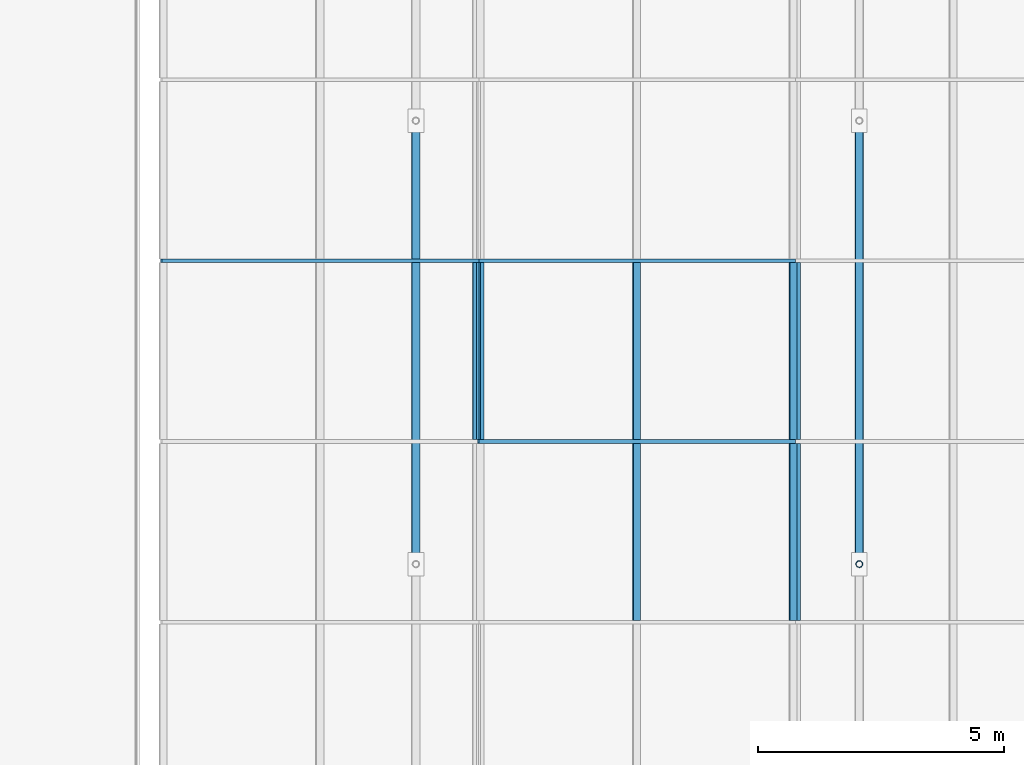
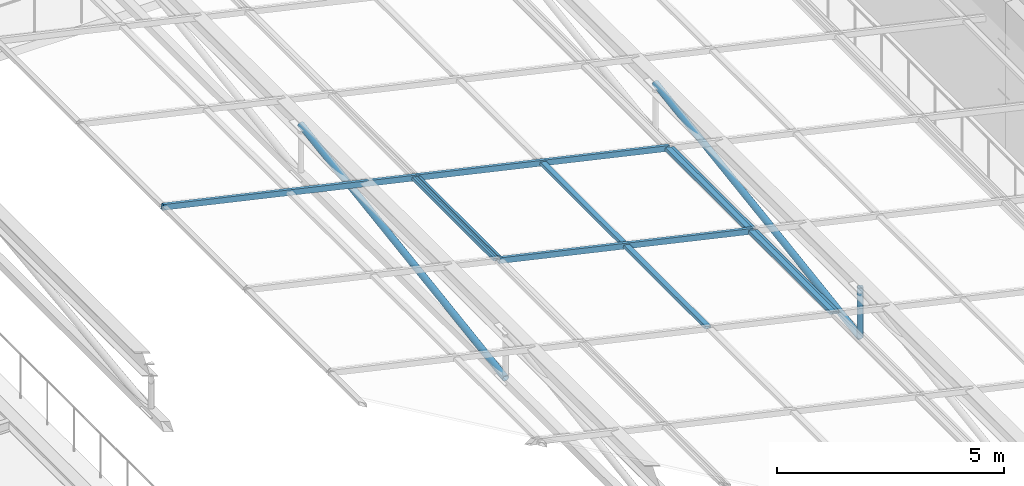
# One storey, part 64 of 130: 14 members, 3 elements without a shape of their own.
"""IFC4 building model written with IfcOpenShell, lengths in metres."""

from ifc_helpers import new_model, si_unit, direction, frame, origin, origin_2d, place, context, subcontext, project, spatial, hollow_rectangle, hollow_circle, extrude, material, material_profile, profile_set, type_object, element, aggregate, save


model = new_model("IFC4")

# Units and contexts
model_context = context("Model", 3, precision=1e-05, world=origin(), true_north=direction((0.0, 1.0)))
body_context = subcontext(model_context, "Body", "Model", "MODEL_VIEW")
ifc_project = project(units=[si_unit("LENGTHUNIT", "METRE"), si_unit("AREAUNIT", "SQUARE_METRE"), si_unit("VOLUMEUNIT", "CUBIC_METRE"), si_unit("PLANEANGLEUNIT", "RADIAN"), si_unit("MASSUNIT", "GRAM", prefix="KILO")], contexts=[model_context])

# Site, building, storey
site_placement = place(None, origin())
site = spatial("IfcSite", under=ifc_project, at=site_placement, CompositionType="ELEMENT")
building_placement = place(site_placement, origin())
building = spatial("IfcBuilding", under=site, at=building_placement, Name="Lykobir Media Centre", CompositionType="ELEMENT")
storey_placement = place(building_placement, frame((0.0, 0.0, 19.199951171875)))
storey = spatial("IfcBuildingStorey", under=building, at=storey_placement, Name="L04", CompositionType="ELEMENT", Elevation=19.199951171875)

# Members
ifc_material_1 = material(Name="Steel S355", Category="steel")
ifc_material_profile_1 = material_profile(ifc_material_1, hollow_circle(Radius=0.06982421875, WallThickness=0.008056640625, at=origin_2d()), Name="CHS 139.7x8.0")
ifc_profile_set_1 = profile_set([ifc_material_profile_1], Name="Steel S355")
member_type_1 = type_object("IfcMemberType", Name="BR-CHS140", PredefinedType="BRACE", material=ifc_profile_set_1)
member_1_placement = place(storey_placement, frame((63.0, 72.0, 4.820068359375), z_axis=(0.0, 0.0, -1.0), x_axis=(1.0, 0.0, 0.0)))
element("IfcMember", 1, at=member_1_placement, inside=storey, type_object=member_type_1, Name="Diagonal brace MEM2-L04-0630-0720-0240-0630-0720-0474", PredefinedType="BRACE", context=body_context, shape_type="SweptSolid", body=[
    extrude(hollow_circle(Radius=0.06982421875, WallThickness=0.008056640625, at=origin_2d()), origin(), (0.0, 0.0, 1.0), 1.35009765625),
])
ifc_material_profile_2 = material_profile(ifc_material_1, hollow_circle(Radius=0.084228515625, WallThickness=0.010009765625, at=origin_2d()), Name="CHS 168.3x10.0")
ifc_profile_set_2 = profile_set([ifc_material_profile_2], Name="Steel S355")
member_type_2 = type_object("IfcMemberType", Name="BR-CHS168", PredefinedType="BRACE", material=ifc_profile_set_2)
for number, where, z_axis, x_axis, name in (
    (2, (54.0, 72.0, 5.510009765625), (0.0, 0.988934778637, 0.148350947425), (-1.0, 0.0, 0.0), "Diagonal brace MEM2-L04-0540-0720-0247-0540-0810-0462"),
    (3, (63.0, 72.0, 3.469970703125), (0.0, 0.988934778637, 0.148350947425), (-1.0, 0.0, 0.0), "Diagonal brace MEM2-L04-0630-0720-0227-0630-0810-0475"),
):
    element("IfcMember", number, at=place(storey_placement, frame(where, z_axis=z_axis, x_axis=x_axis)), inside=storey, type_object=member_type_2, Name=name, PredefinedType="BRACE", context=body_context, shape_type="SweptSolid", body=[
        extrude(hollow_circle(Radius=0.084228515625, WallThickness=0.010009765625, at=origin_2d()), origin(), (0.0, 0.0, 1.0), 9.1005859375),
    ])

# Curtain wall, members
ifc_material_2 = material(Name="Anodized Aluminium AW-6060", Category="aluminium")
curtain_wall_type = type_object("IfcCurtainWallType", Name="CW-V6-SKY", PredefinedType="NOTDEFINED", material=ifc_material_2)
curtain_wall_1_placement = place(storey_placement, origin())
curtain_wall_1 = element("IfcCurtainWall", 4, at=curtain_wall_1_placement, inside=storey, type_object=curtain_wall_type, Name="Curtain wall CW-V6-SKY03", PredefinedType="NOTDEFINED")
ifc_material_profile_3 = material_profile(ifc_material_2, hollow_rectangle(XDim=0.074951171875, YDim=0.14990234375, WallThickness=0.00341796875, at=origin_2d()), Name="ALU TRANSOM 75x150")
ifc_profile_set_3 = profile_set([ifc_material_profile_3], Name="Anodized Aluminium AW-6060")
member_type_3 = type_object("IfcMemberType", Name="CWT-150", PredefinedType="USERDEFINED", material=ifc_profile_set_3)
member_2_placement = place(storey_placement, frame((61.728515625, 78.12255859375, 5.2646484375), z_axis=(0.0, -1.0, 0.0), x_axis=(0.221054901821, 0.0, 0.975261365164)))
member_2 = element("IfcMember", 5, at=member_2_placement, type_object=member_type_3, Name="CW-V6-SKY03 transom 9.3", ObjectType="TRANSOM", PredefinedType="USERDEFINED", context=body_context, shape_type="SweptSolid", body=[
    extrude(hollow_rectangle(XDim=0.074951171875, YDim=0.14990234375, WallThickness=0.00341796875, at=origin_2d()), origin(), (0.0, 0.0, 1.0), 3.594970703125),
])
member_3_placement = place(storey_placement, frame((61.728515625, 74.452392578125, 5.2646484375), z_axis=(0.0, -1.0, 0.0), x_axis=(0.221054901821, 0.0, 0.975261365164)))
member_3 = element("IfcMember", 6, at=member_3_placement, type_object=member_type_3, Name="CW-V6-SKY03 transom 10.3", ObjectType="TRANSOM", PredefinedType="USERDEFINED", context=body_context, shape_type="SweptSolid", body=[
    extrude(hollow_rectangle(XDim=0.074951171875, YDim=0.14990234375, WallThickness=0.00341796875, at=origin_2d()), origin(), (0.0, 0.0, 1.0), 3.594970703125),
])
aggregate(curtain_wall_1, [member_2, member_3])

curtain_wall_2_placement = place(storey_placement, origin())
curtain_wall_2 = element("IfcCurtainWall", 7, at=curtain_wall_2_placement, inside=storey, type_object=curtain_wall_type, Name="Curtain wall CW-V6-SKY04", PredefinedType="NOTDEFINED")
member_4_placement = place(storey_placement, frame((61.69189453125, 78.159912109375, 5.27294921875), z_axis=(-0.975255318588, 0.0, 0.221081576721), x_axis=(0.0, -1.0, 0.0)))
member_4 = element("IfcMember", 8, at=member_4_placement, type_object=member_type_3, Name="CW-V6-SKY04 rafter transom 9", ObjectType="TRANSOM", PredefinedType="USERDEFINED", context=body_context, shape_type="SweptSolid", body=[
    extrude(hollow_rectangle(XDim=0.074951171875, YDim=0.14990234375, WallThickness=0.00341796875, at=origin_2d()), origin(), (0.0, 0.0, 1.0), 6.591552734375),
])
member_5_placement = place(storey_placement, frame((61.69189453125, 74.489990234375, 5.27294921875), z_axis=(-0.975255318588, 0.0, 0.221081576721), x_axis=(0.0, -1.0, 0.0)))
member_5 = element("IfcMember", 9, at=member_5_placement, type_object=member_type_3, Name="CW-V6-SKY04 rafter transom 10", ObjectType="TRANSOM", PredefinedType="USERDEFINED", context=body_context, shape_type="SweptSolid", body=[
    extrude(hollow_rectangle(XDim=0.074951171875, YDim=0.14990234375, WallThickness=0.00341796875, at=origin_2d()), origin(), (0.0, 0.0, 1.0), 6.591552734375),
])
member_6_placement = place(storey_placement, frame((61.655517578125, 78.12255859375, 5.28125), z_axis=(0.0, -1.0, 0.0), x_axis=(0.221071923309, 0.0, 0.975257506879)))
member_6 = element("IfcMember", 10, at=member_6_placement, type_object=member_type_3, Name="CW-V6-SKY04 transom 9.1", ObjectType="TRANSOM", PredefinedType="USERDEFINED", context=body_context, shape_type="SweptSolid", body=[
    extrude(hollow_rectangle(XDim=0.074951171875, YDim=0.14990234375, WallThickness=0.00341796875, at=origin_2d()), origin(), (0.0, 0.0, 1.0), 3.594970703125),
])
member_7_placement = place(storey_placement, frame((58.477783203125, 78.12255859375, 6.00146484375), z_axis=(0.0, -1.0, 0.0), x_axis=(0.221071923309, 0.0, 0.975257506879)))
member_7 = element("IfcMember", 11, at=member_7_placement, type_object=member_type_3, Name="CW-V6-SKY04 transom 9.2", ObjectType="TRANSOM", PredefinedType="USERDEFINED", context=body_context, shape_type="SweptSolid", body=[
    extrude(hollow_rectangle(XDim=0.074951171875, YDim=0.14990234375, WallThickness=0.00341796875, at=origin_2d()), origin(), (0.0, 0.0, 1.0), 3.594970703125),
])
member_8_placement = place(storey_placement, frame((55.300048828125, 78.12255859375, 6.721923828125), z_axis=(0.0, -1.0, 0.0), x_axis=(0.221071923309, 0.0, 0.975257506879)))
member_8 = element("IfcMember", 12, at=member_8_placement, type_object=member_type_3, Name="CW-V6-SKY04 transom 9.3", ObjectType="TRANSOM", PredefinedType="USERDEFINED", context=body_context, shape_type="SweptSolid", body=[
    extrude(hollow_rectangle(XDim=0.074951171875, YDim=0.14990234375, WallThickness=0.00341796875, at=origin_2d()), origin(), (0.0, 0.0, 1.0), 3.594970703125),
])
member_9_placement = place(storey_placement, frame((61.655517578125, 74.452392578125, 5.28125), z_axis=(0.0, -1.0, 0.0), x_axis=(0.221071923309, 0.0, 0.975257506879)))
member_9 = element("IfcMember", 13, at=member_9_placement, type_object=member_type_3, Name="CW-V6-SKY04 transom 10.1", ObjectType="TRANSOM", PredefinedType="USERDEFINED", context=body_context, shape_type="SweptSolid", body=[
    extrude(hollow_rectangle(XDim=0.074951171875, YDim=0.14990234375, WallThickness=0.00341796875, at=origin_2d()), origin(), (0.0, 0.0, 1.0), 3.594970703125),
])
member_10_placement = place(storey_placement, frame((58.477783203125, 74.452392578125, 6.00146484375), z_axis=(0.0, -1.0, 0.0), x_axis=(0.221071923309, 0.0, 0.975257506879)))
member_10 = element("IfcMember", 14, at=member_10_placement, type_object=member_type_3, Name="CW-V6-SKY04 transom 10.2", ObjectType="TRANSOM", PredefinedType="USERDEFINED", context=body_context, shape_type="SweptSolid", body=[
    extrude(hollow_rectangle(XDim=0.074951171875, YDim=0.14990234375, WallThickness=0.00341796875, at=origin_2d()), origin(), (0.0, 0.0, 1.0), 3.594970703125),
])
aggregate(curtain_wall_2, [member_4, member_5, member_6, member_7, member_8, member_9, member_10])

curtain_wall_3_placement = place(storey_placement, origin())
curtain_wall_3 = element("IfcCurtainWall", 15, at=curtain_wall_3_placement, inside=storey, type_object=curtain_wall_type, Name="Curtain wall CW-V6-SKY05", PredefinedType="NOTDEFINED")
member_11_placement = place(storey_placement, frame((55.263427734375, 78.159912109375, 6.730224609375), z_axis=(-0.97526330388, 0.0, 0.221046348318), x_axis=(0.0, -1.0, 0.0)))
member_11 = element("IfcMember", 16, at=member_11_placement, type_object=member_type_3, Name="CW-V6-SKY05 rafter transom 9", ObjectType="TRANSOM", PredefinedType="USERDEFINED", context=body_context, shape_type="SweptSolid", body=[
    extrude(hollow_rectangle(XDim=0.074951171875, YDim=0.14990234375, WallThickness=0.00341796875, at=origin_2d()), origin(), (0.0, 0.0, 1.0), 6.591552734375),
])
member_12_placement = place(storey_placement, frame((55.226806640625, 78.12255859375, 6.738525390625), z_axis=(0.0, -1.0, 0.0), x_axis=(0.221054901821, 0.0, 0.975261365164)))
member_12 = element("IfcMember", 17, at=member_12_placement, type_object=member_type_3, Name="CW-V6-SKY05 transom 9.1", ObjectType="TRANSOM", PredefinedType="USERDEFINED", context=body_context, shape_type="SweptSolid", body=[
    extrude(hollow_rectangle(XDim=0.074951171875, YDim=0.14990234375, WallThickness=0.00341796875, at=origin_2d()), origin(), (0.0, 0.0, 1.0), 3.594970703125),
])
aggregate(curtain_wall_3, [member_11, member_12])

save(model, "model.ifc")
